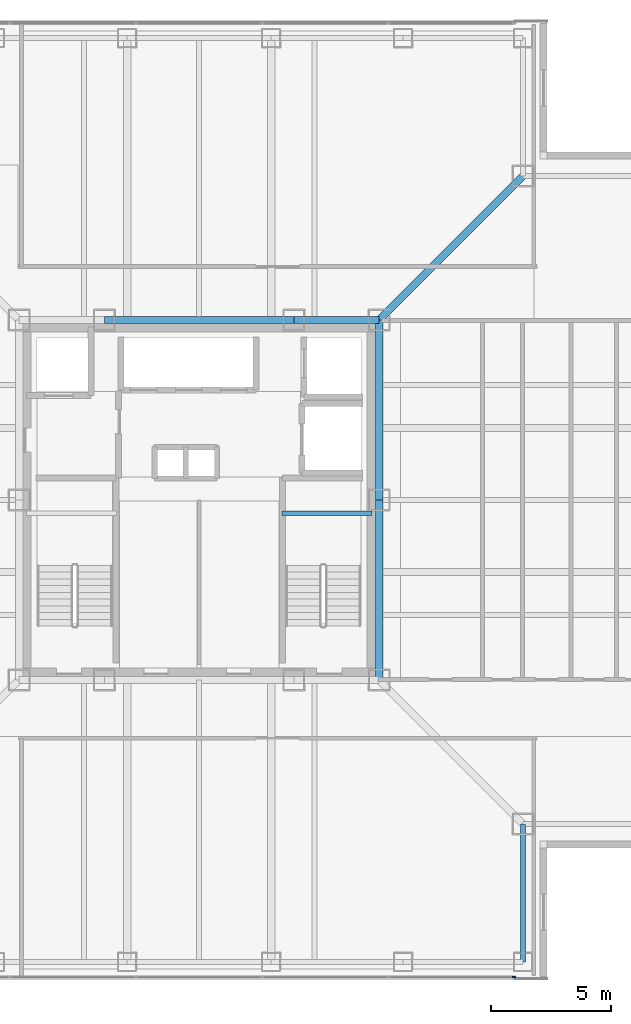
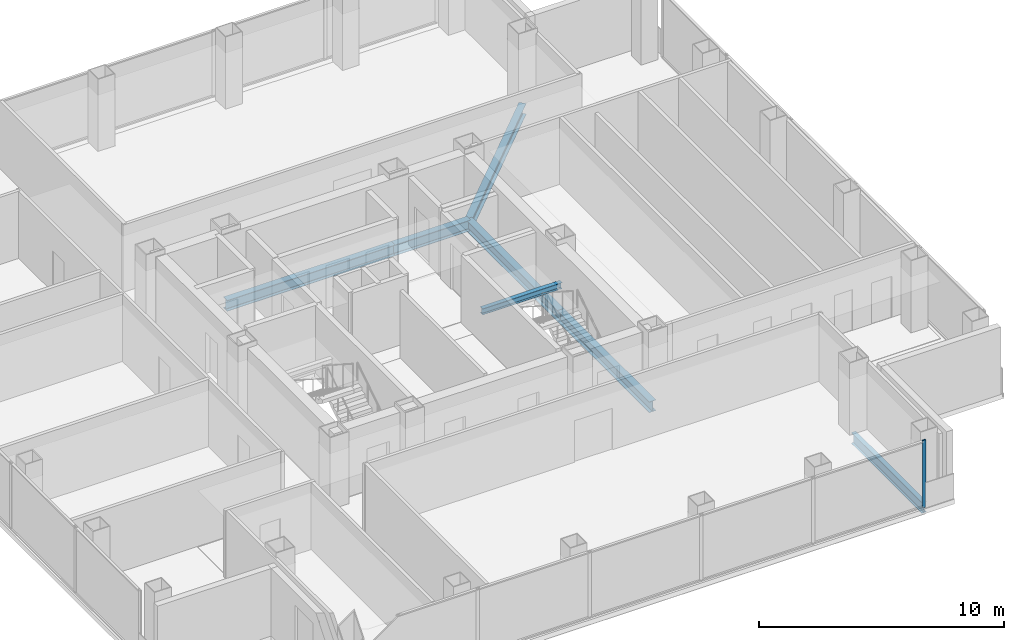
# One storey, part 5 of 17: 7 beams, 1 member, 1 element without a shape of its own.
"""IFC4 building model written with IfcOpenShell, lengths in metres."""

from ifc_helpers import new_model, si_unit, direction, frame, origin, origin_2d, place, context, subcontext, project, spatial, rectangle, i_section, extrude, material, layer, layer_set, material_profile, profile_set, type_object, element, aggregate, save


model = new_model("IFC4")

# Units and contexts
model_context = context("Model", 3, precision=1e-05, world=origin(), true_north=direction((0.0, 1.0)))
body_context = subcontext(model_context, "Body", "Model", "MODEL_VIEW")
ifc_project = project(units=[si_unit("LENGTHUNIT", "METRE"), si_unit("AREAUNIT", "SQUARE_METRE"), si_unit("VOLUMEUNIT", "CUBIC_METRE"), si_unit("PLANEANGLEUNIT", "RADIAN"), si_unit("MASSUNIT", "GRAM", prefix="KILO")], contexts=[model_context])

# Site, building, storey
site_placement = place(None, origin())
site = spatial("IfcSite", under=ifc_project, at=site_placement, CompositionType="ELEMENT")
building_placement = place(site_placement, origin())
building = spatial("IfcBuilding", under=site, at=building_placement, Name="Trevonay Congress Spire", CompositionType="ELEMENT")
storey_placement = place(building_placement, frame((0.0, 0.0, 209.39990234375)))
storey = spatial("IfcBuildingStorey", under=building, at=storey_placement, Name="L54", CompositionType="ELEMENT", Elevation=209.39990234375)

# Beams
ifc_material_1 = material(Name="Steel ASTM A572 Grade 50", Category="steel")
ifc_material_profile_1 = material_profile(ifc_material_1, i_section(OverallWidth=0.31201171875, OverallDepth=0.54296875, WebThickness=0.0126953125, FlangeThickness=0.020263671875, FilletRadius=0.014892578125, at=origin_2d()), Name="W530x150")
ifc_profile_set_1 = profile_set([ifc_material_profile_1], Name="Steel ASTM A572 Grade 50")
beam_type_1 = type_object("IfcBeamType", Name="BM-GIRD-W530X150", PredefinedType="BEAM", material=ifc_profile_set_1)
beam_1_placement = place(storey_placement, frame((-3.949951171875, 7.5, -0.511474609375), z_axis=(1.0, 0.0, 0.0), x_axis=(0.0, 1.0, 0.0)))
element("IfcBeam", 1, at=beam_1_placement, inside=storey, type_object=beam_type_1, Name="L54 structural beam BM-L54-CR-N2", PredefinedType="BEAM", context=body_context, shape_type="SweptSolid", body=[
    extrude(i_section(OverallWidth=0.31201171875, OverallDepth=0.54296875, WebThickness=0.0126953125, FlangeThickness=0.020263671875, FilletRadius=0.014892578125, at=origin_2d()), origin(), (0.0, 0.0, 1.0), 7.89990234375),
])
beam_2_placement = place(storey_placement, frame((3.949951171875, 7.5, -0.511474609375), z_axis=(1.0, 0.0, 0.0), x_axis=(0.0, 1.0, 0.0)))
element("IfcBeam", 2, at=beam_2_placement, inside=storey, type_object=beam_type_1, Name="L54 structural beam BM-L54-CR-N3", PredefinedType="BEAM", context=body_context, shape_type="SweptSolid", body=[
    extrude(i_section(OverallWidth=0.31201171875, OverallDepth=0.54296875, WebThickness=0.0126953125, FlangeThickness=0.020263671875, FilletRadius=0.014892578125, at=origin_2d()), origin(), (0.0, 0.0, 1.0), 3.550048828125),
])
for number, where, z_axis, x_axis, name in (
    (3, (7.5, -7.5, -0.511474609375), (0.0, 1.0, 0.0), (-1.0, 0.0, 0.0), "L54 structural beam BM-L54-CR-E1"),
    (4, (7.5, 0.0, -0.511474609375), (0.0, 1.0, 0.0), (-1.0, 0.0, 0.0), "L54 structural beam BM-L54-CR-E2"),
):
    element("IfcBeam", number, at=place(storey_placement, frame(where, z_axis=z_axis, x_axis=x_axis)), inside=storey, type_object=beam_type_1, Name=name, PredefinedType="BEAM", context=body_context, shape_type="SweptSolid", body=[
        extrude(i_section(OverallWidth=0.31201171875, OverallDepth=0.54296875, WebThickness=0.0126953125, FlangeThickness=0.020263671875, FilletRadius=0.014892578125, at=origin_2d()), origin(), (0.0, 0.0, 1.0), 7.5),
    ])
beam_3_placement = place(storey_placement, frame((7.5, 7.5, -0.511474609375), z_axis=(0.707106781187, 0.707106781187, 0.0), x_axis=(-0.707106781187, 0.707106781187, 0.0)))
element("IfcBeam", 5, at=beam_3_placement, inside=storey, type_object=beam_type_1, Name="L54 structural beam BM-L54-CDNE", PredefinedType="BEAM", context=body_context, shape_type="SweptSolid", body=[
    extrude(i_section(OverallWidth=0.31201171875, OverallDepth=0.54296875, WebThickness=0.0126953125, FlangeThickness=0.020263671875, FilletRadius=0.014892578125, at=origin_2d()), origin(), (0.0, 0.0, 1.0), 8.4853515625),
])
ifc_material_profile_2 = material_profile(ifc_material_1, i_section(OverallWidth=0.2119140625, OverallDepth=0.5439453125, WebThickness=0.01318359375, FlangeThickness=0.021240234375, FilletRadius=0.014892578125, at=origin_2d()), Name="W530x123")
ifc_profile_set_2 = profile_set([ifc_material_profile_2], Name="Steel ASTM A572 Grade 50")
beam_type_2 = type_object("IfcBeamType", Name="BM-RING-W530X123", PredefinedType="BEAM", material=ifc_profile_set_2)
beam_4_placement = place(storey_placement, frame((13.5, -19.25, -0.511962890625), z_axis=(0.0, 1.0, 0.0), x_axis=(-1.0, 0.0, 0.0)))
element("IfcBeam", 6, at=beam_4_placement, inside=storey, type_object=beam_type_2, Name="L54 structural beam BM-L54-N1SE", PredefinedType="BEAM", context=body_context, shape_type="SweptSolid", body=[
    extrude(i_section(OverallWidth=0.2119140625, OverallDepth=0.5439453125, WebThickness=0.01318359375, FlangeThickness=0.021240234375, FilletRadius=0.014892578125, at=origin_2d()), origin(), (0.0, 0.0, 1.0), 5.75),
])

# Curtain wall, member
ifc_material_2 = material(Name="Pale Anodised Aluminium EN AW-6063-T6", Category="aluminium")
ifc_layer = layer(ifc_material_2, 0.169921875, Name="Pale Anodised Aluminium EN AW-6063-T6")
ifc_layer_set = layer_set([ifc_layer], Name="Pale Anodised Aluminium EN AW-6063-T6")
curtain_wall_type = type_object("IfcCurtainWallType", Name="CW-SYS04-CORP-PALE-METAL", PredefinedType="NOTDEFINED", material=ifc_layer_set)
curtain_wall_placement = place(storey_placement, origin())
curtain_wall = element("IfcCurtainWall", 7, at=curtain_wall_placement, inside=storey, type_object=curtain_wall_type, Name="L54 S unitised curtain wall", PredefinedType="NOTDEFINED")
ifc_material_profile_3 = material_profile(ifc_material_2, rectangle(XDim=0.06005859375, YDim=0.159912109375, at=origin_2d()), Name="CW-MULLION-160-ALUMINIUM")
ifc_profile_set_3 = profile_set([ifc_material_profile_3], Name="Pale Anodised Aluminium EN AW-6063-T6")
member_type = type_object("IfcMemberType", Name="CW-MULLION-160-ALUMINIUM", PredefinedType="MULLION", material=ifc_profile_set_3)
member_placement = place(storey_placement, frame((13.1201171875, -19.8798828125, 0.0), z_axis=(0.0, 0.0, 1.0), x_axis=(0.0, 1.0, 0.0)))
member = element("IfcMember", 8, at=member_placement, type_object=member_type, Name="CW04 mullion 6", PredefinedType="MULLION", context=body_context, shape_type="SweptSolid", body=[
    extrude(rectangle(XDim=0.06005859375, YDim=0.159912109375, at=origin_2d()), origin(), (0.0, 0.0, 1.0), 3.360107421875),
])
aggregate(curtain_wall, [member])

# Beam
ifc_material_profile_4 = material_profile(ifc_material_1, i_section(OverallWidth=0.2041015625, OverallDepth=0.305908203125, WebThickness=0.008544921875, FlangeThickness=0.0146484375, FilletRadius=0.010986328125, at=origin_2d()), Name="W310x67")
ifc_profile_set_4 = profile_set([ifc_material_profile_4], Name="Steel ASTM A572 Grade 50")
beam_type_3 = type_object("IfcBeamType", Name="LN-CORE-W310X67", PredefinedType="LINTEL", material=ifc_profile_set_4)
beam_5_placement = place(storey_placement, frame((3.449951171875, -0.550048828125, 1.447021484375), z_axis=(1.0, 0.0, 0.0), x_axis=(0.0, 1.0, 0.0)))
element("IfcBeam", 9, at=beam_5_placement, inside=storey, type_object=beam_type_3, Name="L54 structural beam BM-L54-HL-ST2", PredefinedType="LINTEL", context=body_context, shape_type="SweptSolid", body=[
    extrude(i_section(OverallWidth=0.2041015625, OverallDepth=0.305908203125, WebThickness=0.008544921875, FlangeThickness=0.0146484375, FilletRadius=0.010986328125, at=origin_2d()), origin(), (0.0, 0.0, 1.0), 3.75),
])

save(model, "model.ifc")
